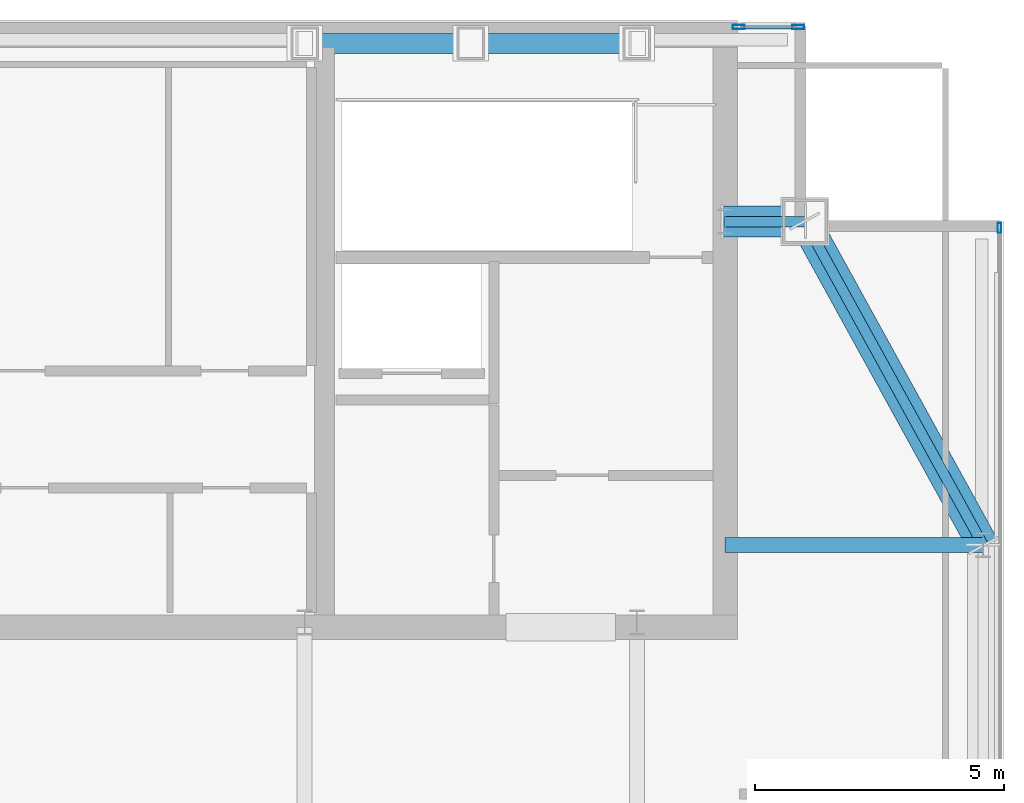
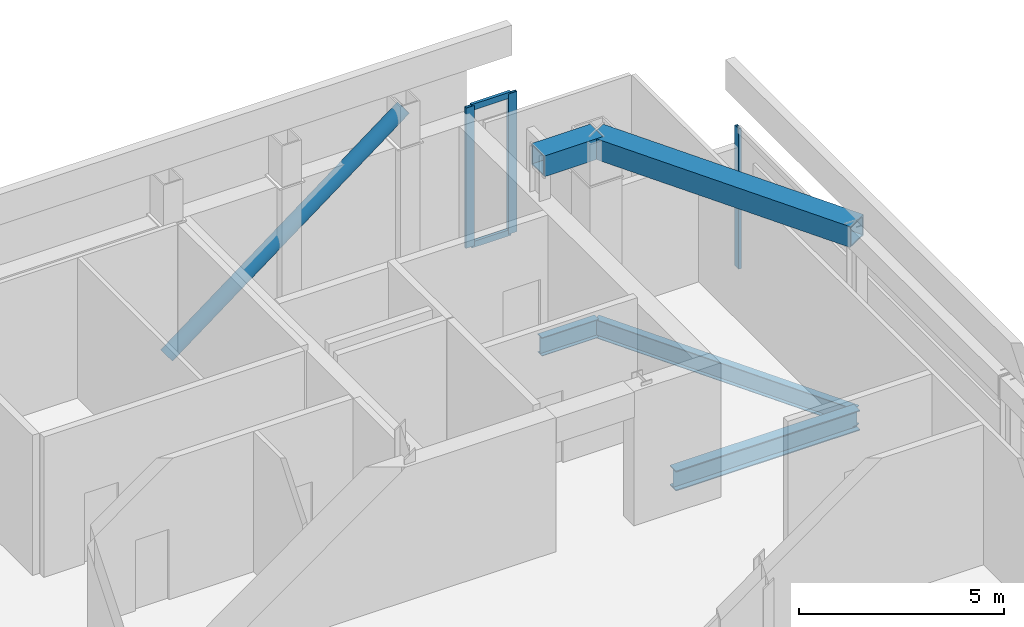
# One storey, part 17 of 24: 6 members, 5 beams, 2 elements without a shape of their own.
"""IFC4 building model written with IfcOpenShell, lengths in metres."""

from ifc_helpers import new_model, si_unit, direction, frame, origin, origin_2d, place, context, subcontext, project, spatial, hollow_rectangle, hollow_circle, i_section, extrude, material, material_profile, profile_set, type_object, element, aggregate, save


model = new_model("IFC4")

# Units and contexts
model_context = context("Model", 3, precision=1e-05, world=origin(), true_north=direction((0.0, 1.0)))
body_context = subcontext(model_context, "Body", "Model", "MODEL_VIEW")
ifc_project = project(units=[si_unit("LENGTHUNIT", "METRE"), si_unit("AREAUNIT", "SQUARE_METRE"), si_unit("VOLUMEUNIT", "CUBIC_METRE"), si_unit("PLANEANGLEUNIT", "RADIAN"), si_unit("MASSUNIT", "GRAM", prefix="KILO")], contexts=[model_context])

# Site, building, storey
site_placement = place(None, origin())
site = spatial("IfcSite", under=ifc_project, at=site_placement, CompositionType="ELEMENT")
building_placement = place(site_placement, origin())
building = spatial("IfcBuilding", under=site, at=building_placement, Name="Khoronbel Lancet Exchange", CompositionType="ELEMENT")
storey_placement = place(building_placement, frame((0.0, 0.0, 378.60009765625)))
storey = spatial("IfcBuildingStorey", under=building, at=storey_placement, Name="L96", CompositionType="ELEMENT", Elevation=378.60009765625)

# Beams
ifc_material_1 = material(Name="Steel S355", Category="steel")
ifc_material_profile_1 = material_profile(ifc_material_1, i_section(OverallWidth=0.300048828125, OverallDepth=0.60009765625, WebThickness=0.015380859375, FlangeThickness=0.030029296875, at=origin_2d()), Name="HEB 600")
ifc_profile_set_1 = profile_set([ifc_material_profile_1], Name="Steel S355")
beam_type_1 = type_object("IfcBeamType", Name="BM-BG5", PredefinedType="BEAM", material=ifc_profile_set_1)
beam_1_placement = place(storey_placement, frame((56.449951171875, 43.199951171875, -0.5), z_axis=(1.0, 0.0, 0.0), x_axis=(0.0, 1.0, 0.0)))
element("IfcBeam", 1, at=beam_1_placement, inside=storey, type_object=beam_type_1, Name="Level L96 east lens tie girder LG3E", PredefinedType="BEAM", context=body_context, shape_type="SweptSolid", body=[
    extrude(i_section(OverallWidth=0.300048828125, OverallDepth=0.60009765625, WebThickness=0.015380859375, FlangeThickness=0.030029296875, at=origin_2d()), origin(), (0.0, 0.0, 1.0), 5.179931640625),
])
ifc_material_profile_2 = material_profile(ifc_material_1, i_section(OverallWidth=0.2099609375, OverallDepth=0.550048828125, WebThickness=0.010986328125, FlangeThickness=0.01708984375, at=origin_2d()), Name="IPE 550")
ifc_profile_set_2 = profile_set([ifc_material_profile_2], Name="Steel S355")
beam_type_2 = type_object("IfcBeamType", Name="BM-BSP3", PredefinedType="SPANDREL", material=ifc_profile_set_2)
beam_2_placement = place(storey_placement, frame((61.6298828125, 43.199951171875, -0.47509765625), z_axis=(-0.482418808117, 0.875940690672, 0.0), x_axis=(-0.875940690672, -0.482418808117, 0.0)))
element("IfcBeam", 2, at=beam_2_placement, inside=storey, type_object=beam_type_2, Name="Level L96 perimeter spandrel beam SP13", PredefinedType="SPANDREL", context=body_context, shape_type="SweptSolid", body=[
    extrude(i_section(OverallWidth=0.2099609375, OverallDepth=0.550048828125, WebThickness=0.010986328125, FlangeThickness=0.01708984375, at=origin_2d()), origin(), (0.0, 0.0, 1.0), 7.420654296875),
])
beam_3_placement = place(storey_placement, frame((58.050048828125, 49.699951171875, -0.47509765625), z_axis=(-1.0, 0.0, 0.0), x_axis=(0.0, -1.0, 0.0)))
element("IfcBeam", 3, at=beam_3_placement, inside=storey, type_object=beam_type_2, Name="Level L96 north flank tie spandrel SP21", PredefinedType="SPANDREL", context=body_context, shape_type="SweptSolid", body=[
    extrude(i_section(OverallWidth=0.2099609375, OverallDepth=0.550048828125, WebThickness=0.010986328125, FlangeThickness=0.01708984375, at=origin_2d()), origin(), (0.0, 0.0, 1.0), 1.60009765625),
])
ifc_material_profile_3 = material_profile(ifc_material_1, hollow_rectangle(XDim=0.6201171875, YDim=0.6201171875, WallThickness=0.0400390625, at=origin_2d()), Name="BOX 620x620x40")
ifc_profile_set_3 = profile_set([ifc_material_profile_3], Name="Steel S355")
beam_type_3 = type_object("IfcBeamType", Name="BM-RB1", PredefinedType="USERDEFINED", material=ifc_profile_set_3)
beam_4_placement = place(storey_placement, frame((61.6298828125, 43.199951171875, 5.0498046875), z_axis=(-0.482418808117, 0.875940690672, 0.0), x_axis=(-0.875940690672, -0.482418808117, 0.0)))
element("IfcBeam", 4, at=beam_4_placement, inside=storey, type_object=beam_type_3, Name="CROWN FRAME top ring cap beam RB13", ObjectType="RING BEAM", PredefinedType="USERDEFINED", context=body_context, shape_type="SweptSolid", body=[
    extrude(hollow_rectangle(XDim=0.6201171875, YDim=0.6201171875, WallThickness=0.0400390625, at=origin_2d()), origin(), (0.0, 0.0, 1.0), 7.420654296875),
])
beam_5_placement = place(storey_placement, frame((58.050048828125, 49.699951171875, 5.0498046875), z_axis=(-1.0, 0.0, 0.0), x_axis=(0.0, -1.0, 0.0)))
element("IfcBeam", 5, at=beam_5_placement, inside=storey, type_object=beam_type_3, Name="CROWN FRAME top ring cap beam RB14", ObjectType="RING BEAM", PredefinedType="USERDEFINED", context=body_context, shape_type="SweptSolid", body=[
    extrude(hollow_rectangle(XDim=0.6201171875, YDim=0.6201171875, WallThickness=0.0400390625, at=origin_2d()), origin(), (0.0, 0.0, 1.0), 1.650146484375),
])

# Curtain wall, members
ifc_material_2 = material(Name="Low-E Solar Control Insulating Glass", Category="glass")
curtain_wall_type = type_object("IfcCurtainWallType", Name="CW-6", PredefinedType="NOTDEFINED", material=ifc_material_2)
curtain_wall_1_placement = place(storey_placement, origin())
curtain_wall_1 = element("IfcCurtainWall", 6, at=curtain_wall_1_placement, inside=storey, type_object=curtain_wall_type, Name="Unitised curtain wall CW-L96-NEFLK", PredefinedType="NOTDEFINED")
ifc_material_3 = material(Name="Bronze-Anodised Aluminium 6063-T6", Category="aluminium")
ifc_material_profile_4 = material_profile(ifc_material_3, hollow_rectangle(XDim=0.0849609375, YDim=0.239990234375, WallThickness=0.006103515625, at=origin_2d()), Name="ALU MULLION 85x240")
ifc_profile_set_4 = profile_set([ifc_material_profile_4], Name="Bronze-Anodised Aluminium 6063-T6")
member_type_1 = type_object("IfcMemberType", Name="MEM-CWM1", PredefinedType="MULLION", material=ifc_profile_set_4)
member_1_placement = place(storey_placement, frame((57.91748046875, 53.610107421875, 0.0), z_axis=(0.0, 0.0, 1.0), x_axis=(0.0, -1.0, 0.0)))
member_1 = element("IfcMember", 7, at=member_1_placement, type_object=member_type_1, Name="CW6 mullion 1", PredefinedType="MULLION", context=body_context, shape_type="SweptSolid", body=[
    extrude(hollow_rectangle(XDim=0.0849609375, YDim=0.239990234375, WallThickness=0.006103515625, at=origin_2d()), origin(), (0.0, 0.0, 1.0), 4.179931640625),
])
member_2_placement = place(storey_placement, frame((56.722412109375, 53.610107421875, 0.0), z_axis=(0.0, 0.0, 1.0), x_axis=(0.0, -1.0, 0.0)))
member_2 = element("IfcMember", 8, at=member_2_placement, type_object=member_type_1, Name="CW6 mullion 2", PredefinedType="MULLION", context=body_context, shape_type="SweptSolid", body=[
    extrude(hollow_rectangle(XDim=0.0849609375, YDim=0.239990234375, WallThickness=0.006103515625, at=origin_2d()), origin(), (0.0, 0.0, 1.0), 4.179931640625),
])

# Curtain wall, member
curtain_wall_2_placement = place(storey_placement, origin())
curtain_wall_2 = element("IfcCurtainWall", 9, at=curtain_wall_2_placement, inside=storey, type_object=curtain_wall_type, Name="Unitised curtain wall CW-L96-E09", PredefinedType="NOTDEFINED")
ifc_material_profile_5 = material_profile(ifc_material_3, hollow_rectangle(XDim=0.074951171875, YDim=0.199951171875, WallThickness=0.0048828125, at=origin_2d()), Name="ALU MULLION 75x200")
ifc_profile_set_5 = profile_set([ifc_material_profile_5], Name="Bronze-Anodised Aluminium 6063-T6")
member_type_2 = type_object("IfcMemberType", Name="MEM-CWM2", PredefinedType="MULLION", material=ifc_profile_set_5)
member_3_placement = place(storey_placement, frame((61.9599609375, 49.572509765625, 0.0), z_axis=(0.0, 0.0, 1.0), x_axis=(1.0, 0.0, 0.0)))
member_3 = element("IfcMember", 10, at=member_3_placement, type_object=member_type_2, Name="CW6 mullion 1", PredefinedType="MULLION", context=body_context, shape_type="SweptSolid", body=[
    extrude(hollow_rectangle(XDim=0.074951171875, YDim=0.199951171875, WallThickness=0.0048828125, at=origin_2d()), origin(), (0.0, 0.0, 1.0), 4.179931640625),
])
aggregate(curtain_wall_2, [member_3])

# Member
ifc_material_profile_6 = material_profile(ifc_material_3, hollow_rectangle(XDim=0.0849609375, YDim=0.179931640625, WallThickness=0.0048828125, at=origin_2d()), Name="ALU TRANSOM 85x180")
ifc_profile_set_6 = profile_set([ifc_material_profile_6], Name="Bronze-Anodised Aluminium 6063-T6")
member_type_3 = type_object("IfcMemberType", Name="MEM-CWT1", PredefinedType="USERDEFINED", material=ifc_profile_set_6)
member_4_placement = place(storey_placement, frame((57.875, 53.610107421875, 0.04248046875), z_axis=(-1.0, 0.0, 0.0), x_axis=(0.0, -1.0, 0.0)))
member_4 = element("IfcMember", 11, at=member_4_placement, type_object=member_type_3, Name="CW6 transom 1.1", ObjectType="TRANSOM", PredefinedType="USERDEFINED", context=body_context, shape_type="SweptSolid", body=[
    extrude(hollow_rectangle(XDim=0.0849609375, YDim=0.179931640625, WallThickness=0.0048828125, at=origin_2d()), origin(), (0.0, 0.0, 1.0), 1.110107421875),
])

member_5_placement = place(storey_placement, frame((57.875, 53.610107421875, 4.137451171875), z_axis=(-1.0, 0.0, 0.0), x_axis=(0.0, -1.0, 0.0)))
member_5 = element("IfcMember", 12, at=member_5_placement, type_object=member_type_3, Name="CW6 transom 1.2", ObjectType="TRANSOM", PredefinedType="USERDEFINED", context=body_context, shape_type="SweptSolid", body=[
    extrude(hollow_rectangle(XDim=0.0849609375, YDim=0.179931640625, WallThickness=0.0048828125, at=origin_2d()), origin(), (0.0, 0.0, 1.0), 1.110107421875),
])

aggregate(curtain_wall_1, [member_1, member_2, member_4, member_5])

ifc_material_profile_7 = material_profile(ifc_material_1, hollow_circle(Radius=0.203125, WallThickness=0.02001953125, at=origin_2d()), Name="CHS 406.4x20")
ifc_profile_set_7 = profile_set([ifc_material_profile_7], Name="Steel S355")
member_type_4 = type_object("IfcMemberType", Name="MEM-STR2", PredefinedType="STRUT", material=ifc_profile_set_7)
member_6_placement = place(storey_placement, frame((48.0, 53.280029296875, 0.0), z_axis=(0.79749741818, 0.0, 0.603322358276), x_axis=(0.0, 1.0, 0.0)))
element("IfcMember", 13, at=member_6_placement, inside=storey, type_object=member_type_4, Name="CROWN FRAME diagonal ring brace L96-N2", PredefinedType="STRUT", context=body_context, shape_type="SweptSolid", body=[
    extrude(hollow_circle(Radius=0.203125, WallThickness=0.02001953125, at=origin_2d()), origin(), (0.0, 0.0, 1.0), 8.369873046875),
])

save(model, "model.ifc")
